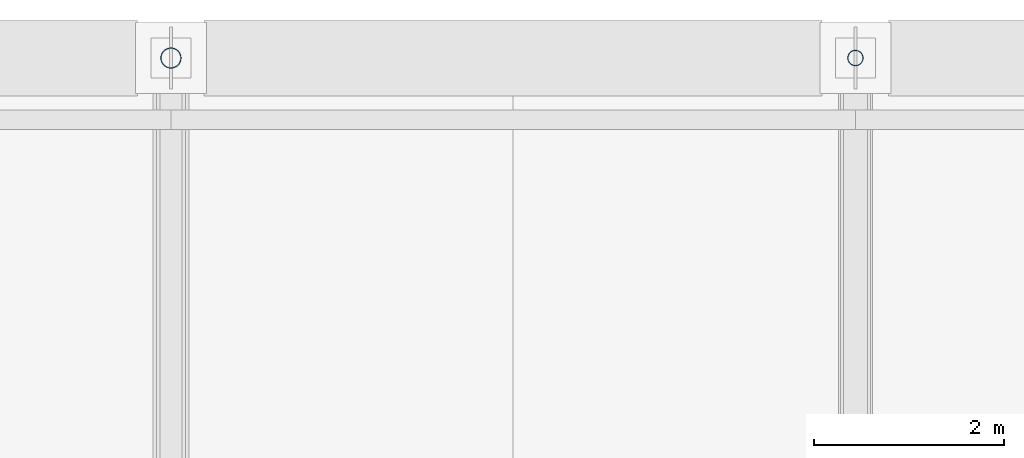
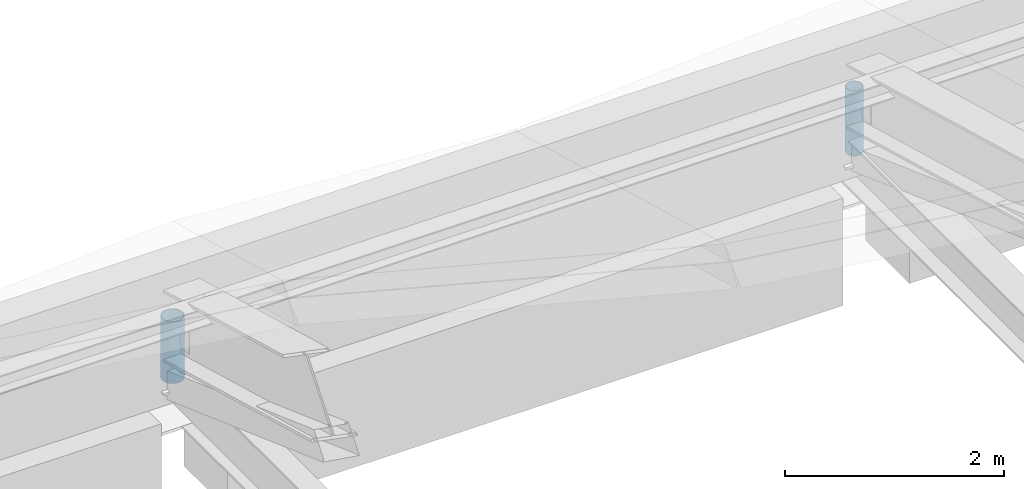
# One storey, part 38 of 53: 2 members.
"""IFC4 building model written with IfcOpenShell, lengths in metres."""

from ifc_helpers import new_model, si_unit, direction, frame, origin, origin_2d, place, context, subcontext, project, spatial, hollow_circle, extrude, material, material_profile, profile_set, type_object, element, save


model = new_model("IFC4")

# Units and contexts
model_context = context("Model", 3, precision=1e-05, world=origin(), true_north=direction((0.0, 1.0)))
body_context = subcontext(model_context, "Body", "Model", "MODEL_VIEW")
ifc_project = project(units=[si_unit("LENGTHUNIT", "METRE"), si_unit("AREAUNIT", "SQUARE_METRE"), si_unit("VOLUMEUNIT", "CUBIC_METRE"), si_unit("PLANEANGLEUNIT", "RADIAN"), si_unit("MASSUNIT", "GRAM", prefix="KILO")], contexts=[model_context])

# Site, building, storey
site_placement = place(None, origin())
site = spatial("IfcSite", under=ifc_project, at=site_placement, CompositionType="ELEMENT")
building_placement = place(site_placement, origin())
building = spatial("IfcBuilding", under=site, at=building_placement, Name="Pellamere Symphony Hall", CompositionType="ELEMENT")
storey_placement = place(building_placement, frame((0.0, 0.0, 24.0)))
storey = spatial("IfcBuildingStorey", under=building, at=storey_placement, Name="L05", CompositionType="ELEMENT", Elevation=24.0)

# Members
ifc_material = material(Name="Steel CSA G40.21 350W", Category="steel")
ifc_material_profile_1 = material_profile(ifc_material, hollow_circle(Radius=0.109619140625, WallThickness=0.009521484375, at=origin_2d()), Name="HSS219X10")
ifc_profile_set_1 = profile_set([ifc_material_profile_1], Name="Steel CSA G40.21 350W")
member_type_1 = type_object("IfcMemberType", Name="Steel Member SM-13 HSS219X10", PredefinedType="STRUT", material=ifc_profile_set_1)
member_1_placement = place(storey_placement, frame((73.199951171875, 93.60009765625, 0.159912109375), z_axis=(0.0, 0.0, 1.0), x_axis=(1.0, 0.0, 0.0)))
element("IfcMember", 1, at=member_1_placement, inside=storey, type_object=member_type_1, Name="Roof Truss TR-03 Vertical Post 8", PredefinedType="STRUT", context=body_context, shape_type="SweptSolid", body=[
    extrude(hollow_circle(Radius=0.109619140625, WallThickness=0.009521484375, at=origin_2d()), origin(), (0.0, 0.0, 1.0), 0.6884765625),
])
ifc_material_profile_2 = material_profile(ifc_material, hollow_circle(Radius=0.084228515625, WallThickness=0.008056640625, at=origin_2d()), Name="HSS168X8")
ifc_profile_set_2 = profile_set([ifc_material_profile_2], Name="Steel CSA G40.21 350W")
member_type_2 = type_object("IfcMemberType", Name="Steel Member SM-14 HSS168X8", PredefinedType="COLLAR", material=ifc_profile_set_2)
member_2_placement = place(storey_placement, frame((80.39990234375, 93.60009765625, 0.159912109375), z_axis=(0.0, 0.0, 1.0), x_axis=(1.0, 0.0, 0.0)))
element("IfcMember", 2, at=member_2_placement, inside=storey, type_object=member_type_2, Name="Roof Truss TR-04 Vertical Post 8", PredefinedType="COLLAR", context=body_context, shape_type="SweptSolid", body=[
    extrude(hollow_circle(Radius=0.084228515625, WallThickness=0.008056640625, at=origin_2d()), origin(), (0.0, 0.0, 1.0), 0.7275390625),
])

save(model, "model.ifc")
